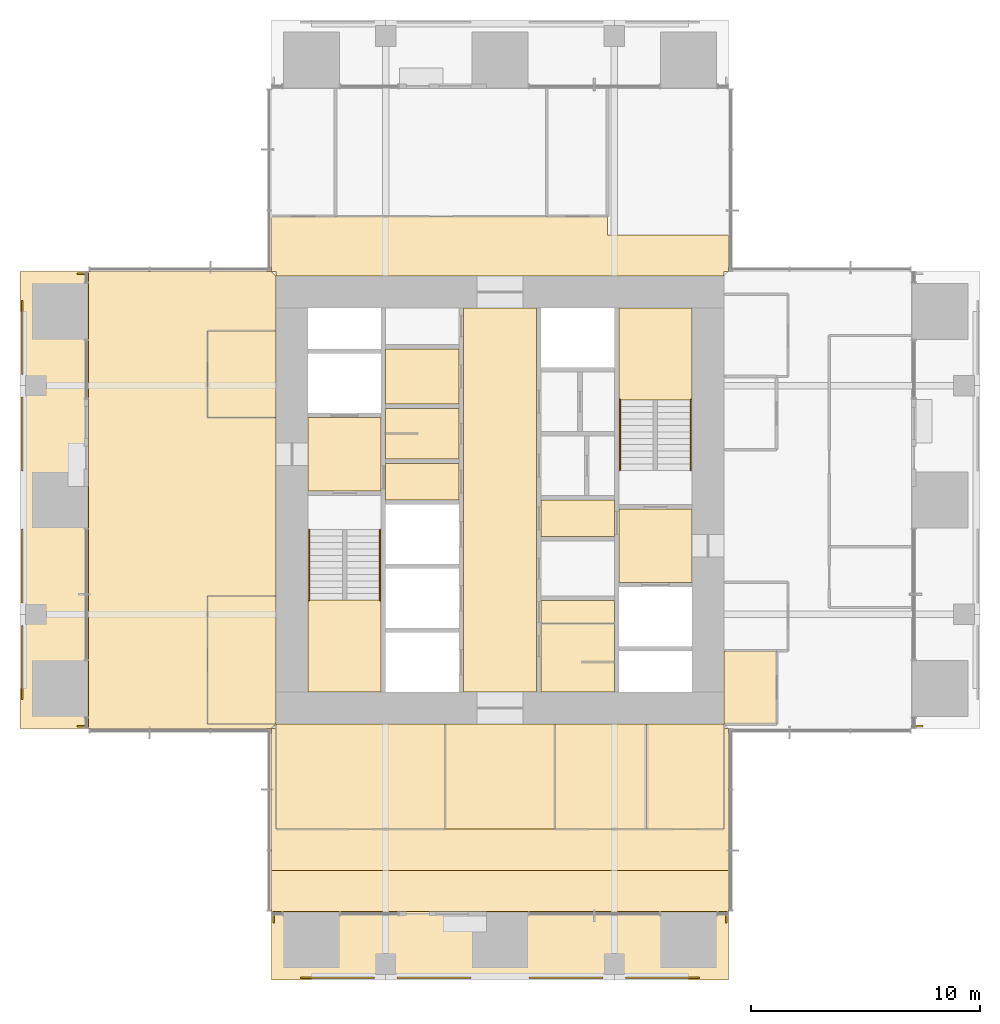
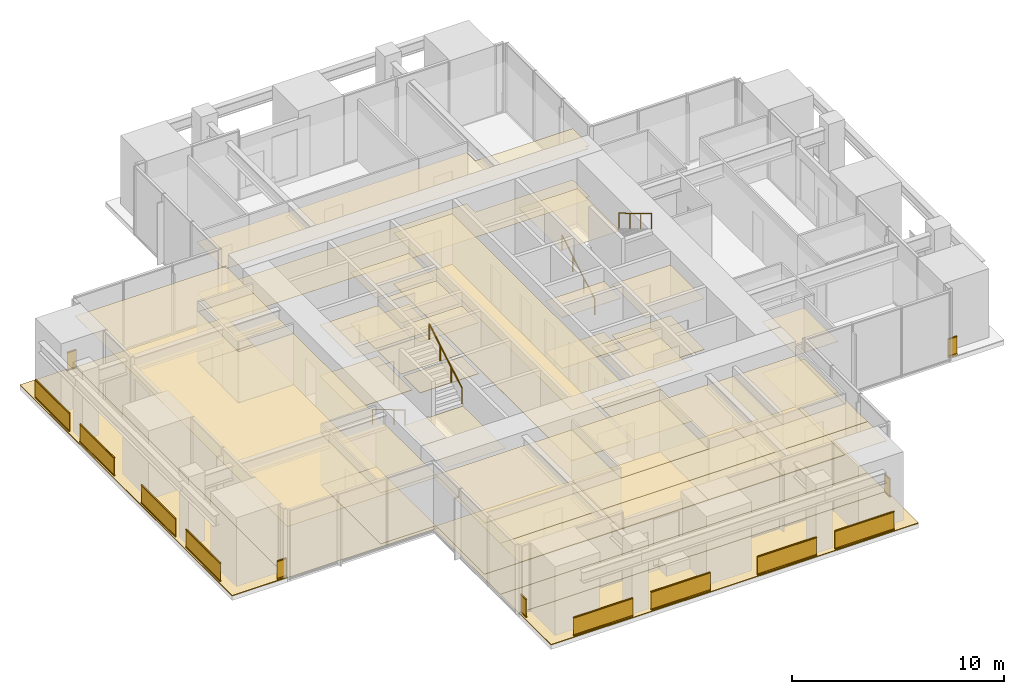
# One storey, part 15 of 17: 44 coverings, 17 railings.
"""IFC4 building model written with IfcOpenShell, lengths in metres."""

from ifc_helpers import new_model, si_unit, direction, frame, origin, origin_2d, place, context, subcontext, project, spatial, polyline, rectangle, circle, outline, extrude, material, layer, layer_set, type_object, element, save


model = new_model("IFC4")

# Units and contexts
model_context = context("Model", 3, precision=1e-05, world=origin(), true_north=direction((0.0, 1.0)))
body_context = subcontext(model_context, "Body", "Model", "MODEL_VIEW")
ifc_project = project(units=[si_unit("LENGTHUNIT", "METRE"), si_unit("AREAUNIT", "SQUARE_METRE"), si_unit("VOLUMEUNIT", "CUBIC_METRE"), si_unit("PLANEANGLEUNIT", "RADIAN"), si_unit("MASSUNIT", "GRAM", prefix="KILO")], contexts=[model_context])

# Site, building, storey
site_placement = place(None, origin())
site = spatial("IfcSite", under=ifc_project, at=site_placement, CompositionType="ELEMENT")
building_placement = place(site_placement, origin())
building = spatial("IfcBuilding", under=site, at=building_placement, Name="Svetlomir Tower", CompositionType="ELEMENT")
storey_placement = place(building_placement, frame((0.0, 0.0, 230.5)))
storey = spatial("IfcBuildingStorey", under=building, at=storey_placement, Name="L55", CompositionType="ELEMENT", Elevation=230.5)

# Railings
ifc_material_1 = material(Name="Bronze anodised aluminium and laminated glass", Category="aluminium")
railing_type_1 = type_object("IfcRailingType", Name="BALCONY GUARD GR1 1100", PredefinedType="GUARDRAIL", material=ifc_material_1)
for number, where, name in (
    (1, (12.27490234375, 0.10009765625, 0.0), "Loggia guard S L55 bay 1"),
    (2, (16.5, 0.10009765625, 0.0), "Loggia guard S L55 bay 2"),
    (3, (22.27490234375, 0.10009765625, 0.0), "Loggia guard S L55 bay 3"),
    (4, (26.5, 0.10009765625, 0.0), "Loggia guard S L55 bay 4"),
):
    element("IfcRailing", number, at=place(storey_placement, frame(where)), inside=storey, type_object=railing_type_1, Name=name, PredefinedType="GUARDRAIL", context=body_context, shape_type="SweptSolid", body=[
        extrude(rectangle(XDim=0.06005859375, YDim=0.10009765625, at=origin_2d()), frame((0.0, 0.0, 0.050048828125), z_axis=(1.0, 0.0, 0.0), x_axis=(0.0, 1.0, 0.0)), (0.0, 0.0, 1.0), 3.22509765625),
        extrude(rectangle(XDim=0.021484375, YDim=0.960205078125, at=origin_2d()), frame((0.0, 0.0, 0.580078125), z_axis=(1.0, 0.0, 0.0), x_axis=(0.0, 1.0, 0.0)), (0.0, 0.0, 1.0), 3.22509765625),
        extrude(rectangle(XDim=0.06005859375, YDim=0.0400390625, at=origin_2d()), frame((0.0, 0.0, 1.080078125), z_axis=(1.0, 0.0, 0.0), x_axis=(0.0, 1.0, 0.0)), (0.0, 0.0, 1.0), 3.22509765625),
    ])
for number, where, name in (
    (5, (11.10009765625, 2.5, 0.0), "Loggia guard S L55 end 1"),
    (6, (30.89990234375, 2.5, 0.0), "Loggia guard S L55 end 2"),
):
    element("IfcRailing", number, at=place(storey_placement, frame(where)), inside=storey, type_object=railing_type_1, Name=name, PredefinedType="GUARDRAIL", context=body_context, shape_type="SweptSolid", body=[
        extrude(rectangle(XDim=0.06005859375, YDim=0.10009765625, at=origin_2d()), frame((0.0, 0.0, 0.050048828125), z_axis=(0.0, 1.0, 0.0), x_axis=(-1.0, 0.0, 0.0)), (0.0, 0.0, 1.0), 0.5),
        extrude(rectangle(XDim=0.021484375, YDim=0.960205078125, at=origin_2d()), frame((0.0, 0.0, 0.580078125), z_axis=(0.0, 1.0, 0.0), x_axis=(-1.0, 0.0, 0.0)), (0.0, 0.0, 1.0), 0.5),
        extrude(rectangle(XDim=0.06005859375, YDim=0.0400390625, at=origin_2d()), frame((0.0, 0.0, 1.080078125), z_axis=(0.0, 1.0, 0.0), x_axis=(-1.0, 0.0, 0.0)), (0.0, 0.0, 1.0), 0.5),
    ])
railing_1_placement = place(storey_placement, frame((39.5, 11.10009765625, 0.0)))
element("IfcRailing", 7, at=railing_1_placement, inside=storey, type_object=railing_type_1, Name="Loggia guard E L55 end 1", PredefinedType="GUARDRAIL", context=body_context, shape_type="SweptSolid", body=[
    extrude(rectangle(XDim=0.06005859375, YDim=0.10009765625, at=origin_2d()), frame((0.0, 0.0, 0.050048828125), z_axis=(-1.0, 0.0, 0.0), x_axis=(0.0, -1.0, 0.0)), (0.0, 0.0, 1.0), 0.5),
    extrude(rectangle(XDim=0.021484375, YDim=0.960205078125, at=origin_2d()), frame((0.0, 0.0, 0.580078125), z_axis=(-1.0, 0.0, 0.0), x_axis=(0.0, -1.0, 0.0)), (0.0, 0.0, 1.0), 0.5),
    extrude(rectangle(XDim=0.06005859375, YDim=0.0400390625, at=origin_2d()), frame((0.0, 0.0, 1.080078125), z_axis=(-1.0, 0.0, 0.0), x_axis=(0.0, -1.0, 0.0)), (0.0, 0.0, 1.0), 0.5),
])
for number, where, name in (
    (8, (0.10009765625, 12.27490234375, 0.0), "Loggia guard W L55 bay 1"),
    (9, (0.10009765625, 16.5, 0.0), "Loggia guard W L55 bay 2"),
    (10, (0.10009765625, 22.27490234375, 0.0), "Loggia guard W L55 bay 3"),
    (11, (0.10009765625, 26.5, 0.0), "Loggia guard W L55 bay 4"),
):
    element("IfcRailing", number, at=place(storey_placement, frame(where)), inside=storey, type_object=railing_type_1, Name=name, PredefinedType="GUARDRAIL", context=body_context, shape_type="SweptSolid", body=[
        extrude(rectangle(XDim=0.06005859375, YDim=0.10009765625, at=origin_2d()), frame((0.0, 0.0, 0.050048828125), z_axis=(0.0, 1.0, 0.0), x_axis=(-1.0, 0.0, 0.0)), (0.0, 0.0, 1.0), 3.22509765625),
        extrude(rectangle(XDim=0.021484375, YDim=0.960205078125, at=origin_2d()), frame((0.0, 0.0, 0.580078125), z_axis=(0.0, 1.0, 0.0), x_axis=(-1.0, 0.0, 0.0)), (0.0, 0.0, 1.0), 3.22509765625),
        extrude(rectangle(XDim=0.06005859375, YDim=0.0400390625, at=origin_2d()), frame((0.0, 0.0, 1.080078125), z_axis=(0.0, 1.0, 0.0), x_axis=(-1.0, 0.0, 0.0)), (0.0, 0.0, 1.0), 3.22509765625),
    ])
for number, where, name in (
    (12, (2.5, 11.10009765625, 0.0), "Loggia guard W L55 end 1"),
    (13, (2.5, 30.89990234375, 0.0), "Loggia guard W L55 end 2"),
):
    element("IfcRailing", number, at=place(storey_placement, frame(where)), inside=storey, type_object=railing_type_1, Name=name, PredefinedType="GUARDRAIL", context=body_context, shape_type="SweptSolid", body=[
        extrude(rectangle(XDim=0.06005859375, YDim=0.10009765625, at=origin_2d()), frame((0.0, 0.0, 0.050048828125), z_axis=(1.0, 0.0, 0.0), x_axis=(0.0, 1.0, 0.0)), (0.0, 0.0, 1.0), 0.5),
        extrude(rectangle(XDim=0.021484375, YDim=0.960205078125, at=origin_2d()), frame((0.0, 0.0, 0.580078125), z_axis=(1.0, 0.0, 0.0), x_axis=(0.0, 1.0, 0.0)), (0.0, 0.0, 1.0), 0.5),
        extrude(rectangle(XDim=0.06005859375, YDim=0.0400390625, at=origin_2d()), frame((0.0, 0.0, 1.080078125), z_axis=(1.0, 0.0, 0.0), x_axis=(0.0, 1.0, 0.0)), (0.0, 0.0, 1.0), 0.5),
    ])

# Coverings
ifc_material_2 = material(Name="Granite paving slabs on pedestals", Category="masonry")
ifc_layer_1 = layer(ifc_material_2, 0.0400390625)
ifc_layer_set_1 = layer_set([ifc_layer_1], Name="Granite paving slabs on pedestals")
covering_type_1 = type_object("IfcCoveringType", Name="BALCONY PAVING 40", PredefinedType="USERDEFINED", material=ifc_layer_set_1)
covering_1_placement = place(storey_placement, origin())
element("IfcCovering", 14, at=covering_1_placement, inside=storey, type_object=covering_type_1, Name="Loggia paving S L55", ObjectType="BALCONY PAVING", PredefinedType="USERDEFINED", context=body_context, shape_type="SweptSolid", body=[
    extrude(outline(polyline([(11.0, 0.0), (31.0, 0.0), (31.0, 3.0), (11.0, 3.0), (11.0, 0.0)])), origin(), (0.0, 0.0, 1.0), 0.0400390625),
])
covering_2_placement = place(storey_placement, origin())
element("IfcCovering", 15, at=covering_2_placement, inside=storey, type_object=covering_type_1, Name="Loggia paving W L55", ObjectType="BALCONY PAVING", PredefinedType="USERDEFINED", context=body_context, shape_type="SweptSolid", body=[
    extrude(outline(polyline([(0.0, 11.0), (3.0, 11.0), (3.0, 31.0), (0.0, 31.0), (0.0, 11.0)])), origin(), (0.0, 0.0, 1.0), 0.0400390625),
])
ifc_material_3 = material(Name="Carpet tile", Category="textile")
ifc_layer_2 = layer(ifc_material_3, 0.010009765625)
ifc_layer_set_2 = layer_set([ifc_layer_2], Name="Carpet tile")
covering_type_2 = type_object("IfcCoveringType", Name="CARPET TILE FLOOR 10", PredefinedType="FLOORING", material=ifc_layer_set_2)
covering_3_placement = place(storey_placement, origin())
element("IfcCovering", 16, at=covering_3_placement, inside=storey, type_object=covering_type_2, Name="Floor finish L55-18", PredefinedType="FLOORING", context=body_context, shape_type="SweptSolid", body=[
    extrude(outline(polyline([(11.199951171875, 6.60009765625), (18.60009765625, 6.60009765625), (18.60009765625, 11.199951171875), (11.199951171875, 11.199951171875), (11.199951171875, 6.60009765625)])), origin(), (0.0, 0.0, 1.0), 0.010009765625),
])
covering_4_placement = place(storey_placement, origin())
element("IfcCovering", 17, at=covering_4_placement, inside=storey, type_object=covering_type_2, Name="Floor finish L55-19", PredefinedType="FLOORING", context=body_context, shape_type="SweptSolid", body=[
    extrude(outline(polyline([(23.39990234375, 6.60009765625), (27.39990234375, 6.60009765625), (27.39990234375, 11.199951171875), (23.39990234375, 11.199951171875), (23.39990234375, 6.60009765625)])), origin(), (0.0, 0.0, 1.0), 0.010009765625),
])
covering_5_placement = place(storey_placement, origin())
element("IfcCovering", 18, at=covering_5_placement, inside=storey, type_object=covering_type_2, Name="Floor finish L55-20", PredefinedType="FLOORING", context=body_context, shape_type="SweptSolid", body=[
    extrude(outline(polyline([(27.39990234375, 6.60009765625), (30.800048828125, 6.60009765625), (30.800048828125, 11.199951171875), (27.39990234375, 11.199951171875), (27.39990234375, 6.60009765625)])), origin(), (0.0, 0.0, 1.0), 0.010009765625),
])
covering_6_placement = place(storey_placement, origin())
element("IfcCovering", 19, at=covering_6_placement, inside=storey, type_object=covering_type_2, Name="Floor finish L55-21", PredefinedType="FLOORING", context=body_context, shape_type="SweptSolid", body=[
    extrude(outline(polyline([(30.800048828125, 11.199951171875), (33.10009765625, 11.199951171875), (33.10009765625, 14.39990234375), (30.800048828125, 14.39990234375), (30.800048828125, 11.199951171875)])), origin(), (0.0, 0.0, 1.0), 0.010009765625),
])
covering_7_placement = place(storey_placement, origin())
element("IfcCovering", 20, at=covering_7_placement, inside=storey, type_object=covering_type_2, Name="Floor finish L55-30", PredefinedType="FLOORING", context=body_context, shape_type="SweptSolid", body=[
    extrude(outline(polyline([(8.199951171875, 11.199951171875), (11.199951171875, 11.199951171875), (11.199951171875, 16.800048828125), (8.199951171875, 16.800048828125), (8.199951171875, 11.199951171875)])), origin(), (0.0, 0.0, 1.0), 0.010009765625),
])
covering_8_placement = place(storey_placement, origin())
element("IfcCovering", 21, at=covering_8_placement, inside=storey, type_object=covering_type_2, Name="Floor finish L55-31", PredefinedType="FLOORING", context=body_context, shape_type="SweptSolid", body=[
    extrude(outline(polyline([(8.199951171875, 24.60009765625), (11.199951171875, 24.60009765625), (11.199951171875, 28.39990234375), (8.199951171875, 28.39990234375), (8.199951171875, 24.60009765625)])), origin(), (0.0, 0.0, 1.0), 0.010009765625),
])
covering_9_placement = place(storey_placement, origin())
element("IfcCovering", 22, at=covering_9_placement, inside=storey, type_object=covering_type_2, Name="Floor finish L55-32", PredefinedType="FLOORING", context=body_context, shape_type="SweptSolid", body=[
    extrude(outline(polyline([(11.0, 11.0), (11.199951171875, 11.0), (11.199951171875, 6.60009765625), (30.800048828125, 6.60009765625), (30.800048828125, 11.0), (31.0, 11.0), (31.0, 4.800048828125), (11.0, 4.800048828125), (11.0, 11.0)])), origin(), (0.0, 0.0, 1.0), 0.010009765625),
])
covering_10_placement = place(storey_placement, origin())
element("IfcCovering", 23, at=covering_10_placement, inside=storey, type_object=covering_type_2, Name="Floor finish L55-33", PredefinedType="FLOORING", context=body_context, shape_type="SweptSolid", body=[
    extrude(outline(polyline([(11.199951171875, 30.800048828125), (11.199951171875, 31.0), (11.0, 31.0), (11.0, 33.39990234375), (25.699951171875, 33.39990234375), (25.699951171875, 32.60009765625), (31.0, 32.60009765625), (31.0, 31.0), (30.800048828125, 31.0), (30.800048828125, 30.800048828125), (11.199951171875, 30.800048828125)])), origin(), (0.0, 0.0, 1.0), 0.010009765625),
])
covering_11_placement = place(storey_placement, origin())
element("IfcCovering", 24, at=covering_11_placement, inside=storey, type_object=covering_type_2, Name="Floor finish L55-34", PredefinedType="FLOORING", context=body_context, shape_type="SweptSolid", body=[
    extrude(outline(polyline([(11.0, 3.0), (11.0, 4.800048828125), (31.0, 4.800048828125), (31.0, 3.0), (11.0, 3.0)])), origin(), (0.0, 0.0, 1.0), 0.010009765625),
])
covering_12_placement = place(storey_placement, origin())
element("IfcCovering", 25, at=covering_12_placement, inside=storey, type_object=covering_type_2, Name="Floor finish L55-35", PredefinedType="FLOORING", context=body_context, shape_type="SweptSolid", body=[
    extrude(outline(polyline([(23.39990234375, 11.199951171875), (23.39990234375, 6.60009765625), (18.60009765625, 6.60009765625), (18.60009765625, 11.199951171875), (23.39990234375, 11.199951171875)])), origin(), (0.0, 0.0, 1.0), 0.010009765625),
])
covering_13_placement = place(storey_placement, origin())
element("IfcCovering", 26, at=covering_13_placement, inside=storey, type_object=covering_type_2, Name="Floor finish L55-38", PredefinedType="FLOORING", context=body_context, shape_type="SweptSolid", body=[
    extrude(outline(polyline([(3.0, 31.0), (11.0, 31.0), (11.199951171875, 30.800048828125), (11.199951171875, 28.39990234375), (8.199951171875, 28.39990234375), (8.199951171875, 24.60009765625), (11.199951171875, 24.60009765625), (11.199951171875, 16.800048828125), (8.199951171875, 16.800048828125), (8.199951171875, 11.199951171875), (11.199951171875, 11.199951171875), (11.0, 11.0), (3.0, 11.0), (3.0, 31.0)])), origin(), (0.0, 0.0, 1.0), 0.010009765625),
])
ifc_material_4 = material(Name="Ceramic floor tile", Category="ceramic")
ifc_layer_3 = layer(ifc_material_4, 0.014892578125)
ifc_layer_set_3 = layer_set([ifc_layer_3], Name="Ceramic floor tile")
covering_type_3 = type_object("IfcCoveringType", Name="CERAMIC TILE FLOOR 15", PredefinedType="FLOORING", material=ifc_layer_set_3)
covering_14_placement = place(storey_placement, origin())
element("IfcCovering", 27, at=covering_14_placement, inside=storey, type_object=covering_type_3, Name="Floor finish L55-04", PredefinedType="FLOORING", context=body_context, shape_type="SweptSolid", body=[
    extrude(outline(polyline([(16.0, 22.800048828125), (19.199951171875, 22.800048828125), (19.199951171875, 25.0), (16.0, 25.0), (16.0, 22.800048828125)])), origin(), (0.0, 0.0, 1.0), 0.014892578125),
])
covering_15_placement = place(storey_placement, origin())
element("IfcCovering", 28, at=covering_15_placement, inside=storey, type_object=covering_type_3, Name="Floor finish L55-05", PredefinedType="FLOORING", context=body_context, shape_type="SweptSolid", body=[
    extrude(outline(polyline([(16.0, 25.199951171875), (19.199951171875, 25.199951171875), (19.199951171875, 27.60009765625), (16.0, 27.60009765625), (16.0, 25.199951171875)])), origin(), (0.0, 0.0, 1.0), 0.014892578125),
])
covering_16_placement = place(storey_placement, origin())
element("IfcCovering", 29, at=covering_16_placement, inside=storey, type_object=covering_type_3, Name="Floor finish L55-08", PredefinedType="FLOORING", context=body_context, shape_type="SweptSolid", body=[
    extrude(outline(polyline([(22.800048828125, 15.60009765625), (26.0, 15.60009765625), (26.0, 16.60009765625), (22.800048828125, 16.60009765625), (22.800048828125, 15.60009765625)])), origin(), (0.0, 0.0, 1.0), 0.014892578125),
])
covering_17_placement = place(storey_placement, origin())
element("IfcCovering", 30, at=covering_17_placement, inside=storey, type_object=covering_type_3, Name="Floor finish L55-09", PredefinedType="FLOORING", context=body_context, shape_type="SweptSolid", body=[
    extrude(outline(polyline([(22.800048828125, 12.60009765625), (26.0, 12.60009765625), (26.0, 15.60009765625), (22.800048828125, 15.60009765625), (22.800048828125, 12.60009765625)])), origin(), (0.0, 0.0, 1.0), 0.014892578125),
])

# Railings
ifc_material_5 = material(Name="Stainless steel", Category="steel")
railing_type_2 = type_object("IfcRailingType", Name="HANDRAIL HR1 900", PredefinedType="HANDRAIL", material=ifc_material_5)
railing_2_placement = place(storey_placement, frame((12.64990234375, 19.699951171875, 0.166748046875)))
element("IfcRailing", 31, at=railing_2_placement, inside=storey, type_object=railing_type_2, Name="Handrail S1 flight 1 L55", PredefinedType="HANDRAIL", context=body_context, shape_type="SweptSolid", body=[
    extrude(circle(Radius=0.02392578125, at=origin_2d()), frame((0.0, 0.0, 0.8759765625), z_axis=(0.0, -0.859290745958, 0.51148745235), x_axis=(1.0, 0.0, 0.0)), (0.0, 0.0, 1.0), 3.584228515625),
    extrude(circle(Radius=0.02099609375, at=origin_2d()), origin(), (0.0, 0.0, 1.0), 0.851806640625),
    extrude(circle(Radius=0.02099609375, at=origin_2d()), frame((0.0, -1.026611328125, 0.611083984375)), (0.0, 0.0, 1.0), 0.851806640625),
    extrude(circle(Radius=0.02099609375, at=origin_2d()), frame((0.0, -2.05322265625, 1.22216796875)), (0.0, 0.0, 1.0), 0.851806640625),
    extrude(circle(Radius=0.02099609375, at=origin_2d()), frame((0.0, -3.079833984375, 1.833251953125)), (0.0, 0.0, 1.0), 0.851806640625),
])
for number, where, name in (
    (32, (15.75, 16.6201171875, 2.166748046875), "Handrail S1 flight 2 L55"),
    (33, (26.25, 22.300048828125, 0.166748046875), "Handrail S2 flight 1 L55"),
):
    element("IfcRailing", number, at=place(storey_placement, frame(where)), inside=storey, type_object=railing_type_2, Name=name, PredefinedType="HANDRAIL", context=body_context, shape_type="SweptSolid", body=[
        extrude(circle(Radius=0.02392578125, at=origin_2d()), frame((0.0, 0.0, 0.8759765625), z_axis=(0.0, 0.859290745958, 0.51148745235), x_axis=(-1.0, 0.0, 0.0)), (0.0, 0.0, 1.0), 3.584228515625),
        extrude(circle(Radius=0.02099609375, at=origin_2d()), origin(), (0.0, 0.0, 1.0), 0.851806640625),
        extrude(circle(Radius=0.02099609375, at=origin_2d()), frame((0.0, 1.026611328125, 0.611083984375)), (0.0, 0.0, 1.0), 0.851806640625),
        extrude(circle(Radius=0.02099609375, at=origin_2d()), frame((0.0, 2.05322265625, 1.22216796875)), (0.0, 0.0, 1.0), 0.851806640625),
        extrude(circle(Radius=0.02099609375, at=origin_2d()), frame((0.0, 3.079833984375, 1.833251953125)), (0.0, 0.0, 1.0), 0.851806640625),
    ])
railing_3_placement = place(storey_placement, frame((29.35009765625, 25.3798828125, 2.166748046875)))
element("IfcRailing", 34, at=railing_3_placement, inside=storey, type_object=railing_type_2, Name="Handrail S2 flight 2 L55", PredefinedType="HANDRAIL", context=body_context, shape_type="SweptSolid", body=[
    extrude(circle(Radius=0.02392578125, at=origin_2d()), frame((0.0, 0.0, 0.8759765625), z_axis=(0.0, -0.859290745958, 0.51148745235), x_axis=(1.0, 0.0, 0.0)), (0.0, 0.0, 1.0), 3.584228515625),
    extrude(circle(Radius=0.02099609375, at=origin_2d()), origin(), (0.0, 0.0, 1.0), 0.851806640625),
    extrude(circle(Radius=0.02099609375, at=origin_2d()), frame((0.0, -1.026611328125, 0.611083984375)), (0.0, 0.0, 1.0), 0.851806640625),
    extrude(circle(Radius=0.02099609375, at=origin_2d()), frame((0.0, -2.05322265625, 1.22216796875)), (0.0, 0.0, 1.0), 0.851806640625),
    extrude(circle(Radius=0.02099609375, at=origin_2d()), frame((0.0, -3.079833984375, 1.833251953125)), (0.0, 0.0, 1.0), 0.851806640625),
])

# Coverings
ifc_material_6 = material(Name="Moisture resistant plasterboard ceiling", Category="gypsum")
ifc_layer_4 = layer(ifc_material_6, 0.012451171875)
ifc_layer_set_4 = layer_set([ifc_layer_4], Name="Moisture resistant plasterboard ceiling")
covering_type_4 = type_object("IfcCoveringType", Name="MOISTURE RESISTANT CEILING 12.5", PredefinedType="CEILING", material=ifc_layer_set_4)
covering_18_placement = place(storey_placement, frame((0.0, 0.0, 2.9375)))
element("IfcCovering", 35, at=covering_18_placement, inside=storey, type_object=covering_type_4, Name="Ceiling L55-04", PredefinedType="CEILING", context=body_context, shape_type="SweptSolid", body=[
    extrude(outline(polyline([(16.0, 22.800048828125), (19.199951171875, 22.800048828125), (19.199951171875, 25.0), (16.0, 25.0), (16.0, 22.800048828125)])), origin(), (0.0, 0.0, 1.0), 0.012451171875),
])
covering_19_placement = place(storey_placement, frame((0.0, 0.0, 2.9375)))
element("IfcCovering", 36, at=covering_19_placement, inside=storey, type_object=covering_type_4, Name="Ceiling L55-05", PredefinedType="CEILING", context=body_context, shape_type="SweptSolid", body=[
    extrude(outline(polyline([(16.0, 25.199951171875), (19.199951171875, 25.199951171875), (19.199951171875, 27.60009765625), (16.0, 27.60009765625), (16.0, 25.199951171875)])), origin(), (0.0, 0.0, 1.0), 0.012451171875),
])
covering_20_placement = place(storey_placement, frame((0.0, 0.0, 2.9375)))
element("IfcCovering", 37, at=covering_20_placement, inside=storey, type_object=covering_type_4, Name="Ceiling L55-08", PredefinedType="CEILING", context=body_context, shape_type="SweptSolid", body=[
    extrude(outline(polyline([(22.800048828125, 15.60009765625), (26.0, 15.60009765625), (26.0, 16.60009765625), (22.800048828125, 16.60009765625), (22.800048828125, 15.60009765625)])), origin(), (0.0, 0.0, 1.0), 0.012451171875),
])
covering_21_placement = place(storey_placement, frame((0.0, 0.0, 2.9375)))
element("IfcCovering", 38, at=covering_21_placement, inside=storey, type_object=covering_type_4, Name="Ceiling L55-09", PredefinedType="CEILING", context=body_context, shape_type="SweptSolid", body=[
    extrude(outline(polyline([(22.800048828125, 12.60009765625), (26.0, 12.60009765625), (26.0, 15.60009765625), (22.800048828125, 15.60009765625), (22.800048828125, 12.60009765625)])), origin(), (0.0, 0.0, 1.0), 0.012451171875),
])
ifc_material_7 = material(Name="Gypsum plasterboard ceiling", Category="gypsum")
ifc_layer_5 = layer(ifc_material_7, 0.014892578125)
ifc_layer_set_5 = layer_set([ifc_layer_5], Name="Gypsum plasterboard ceiling")
covering_type_5 = type_object("IfcCoveringType", Name="PLASTERBOARD CEILING 15", PredefinedType="CEILING", material=ifc_layer_set_5)
covering_22_placement = place(storey_placement, frame((0.0, 0.0, 2.93505859375)))
element("IfcCovering", 39, at=covering_22_placement, inside=storey, type_object=covering_type_5, Name="Ceiling L55-02", PredefinedType="CEILING", context=body_context, shape_type="SweptSolid", body=[
    extrude(outline(polyline([(12.60009765625, 21.39990234375), (15.800048828125, 21.39990234375), (15.800048828125, 24.60009765625), (12.60009765625, 24.60009765625), (12.60009765625, 21.39990234375)])), origin(), (0.0, 0.0, 1.0), 0.014892578125),
])
covering_23_placement = place(storey_placement, frame((0.0, 0.0, 2.93505859375)))
element("IfcCovering", 40, at=covering_23_placement, inside=storey, type_object=covering_type_5, Name="Ceiling L55-03", PredefinedType="CEILING", context=body_context, shape_type="SweptSolid", body=[
    extrude(outline(polyline([(16.0, 21.0), (19.199951171875, 21.0), (19.199951171875, 22.60009765625), (16.0, 22.60009765625), (16.0, 21.0)])), origin(), (0.0, 0.0, 1.0), 0.014892578125),
])
covering_24_placement = place(storey_placement, frame((0.0, 0.0, 2.93505859375)))
element("IfcCovering", 41, at=covering_24_placement, inside=storey, type_object=covering_type_5, Name="Ceiling L55-07", PredefinedType="CEILING", context=body_context, shape_type="SweptSolid", body=[
    extrude(outline(polyline([(19.39990234375, 12.60009765625), (22.60009765625, 12.60009765625), (22.60009765625, 29.39990234375), (19.39990234375, 29.39990234375), (19.39990234375, 12.60009765625)])), origin(), (0.0, 0.0, 1.0), 0.014892578125),
])
covering_25_placement = place(storey_placement, frame((0.0, 0.0, 2.93505859375)))
element("IfcCovering", 42, at=covering_25_placement, inside=storey, type_object=covering_type_5, Name="Ceiling L55-11", PredefinedType="CEILING", context=body_context, shape_type="SweptSolid", body=[
    extrude(outline(polyline([(22.800048828125, 19.39990234375), (26.0, 19.39990234375), (26.0, 21.0), (22.800048828125, 21.0), (22.800048828125, 19.39990234375)])), origin(), (0.0, 0.0, 1.0), 0.014892578125),
])
covering_26_placement = place(storey_placement, frame((0.0, 0.0, 2.93505859375)))
element("IfcCovering", 43, at=covering_26_placement, inside=storey, type_object=covering_type_5, Name="Ceiling L55-12", PredefinedType="CEILING", context=body_context, shape_type="SweptSolid", body=[
    extrude(outline(polyline([(26.199951171875, 17.39990234375), (29.39990234375, 17.39990234375), (29.39990234375, 20.60009765625), (26.199951171875, 20.60009765625), (26.199951171875, 17.39990234375)])), origin(), (0.0, 0.0, 1.0), 0.014892578125),
])
ifc_material_8 = material(Name="Studded rubber floor finish", Category="rubber")
ifc_layer_6 = layer(ifc_material_8, 0.006103515625)
ifc_layer_set_6 = layer_set([ifc_layer_6], Name="Studded rubber floor finish")
covering_type_6 = type_object("IfcCoveringType", Name="RUBBER LANDING FINISH 6", PredefinedType="FLOORING", material=ifc_layer_set_6)
covering_27_placement = place(storey_placement, frame((0.0, 0.0, 2.0)))
element("IfcCovering", 44, at=covering_27_placement, inside=storey, type_object=covering_type_6, Name="Stair S1 landing finish L55", PredefinedType="FLOORING", context=body_context, shape_type="SweptSolid", body=[
    extrude(outline(polyline([(12.60009765625, 12.60009765625), (15.800048828125, 12.60009765625), (15.800048828125, 16.6201171875), (12.60009765625, 16.6201171875), (12.60009765625, 12.60009765625)])), origin(), (0.0, 0.0, 1.0), 0.006103515625),
])
covering_28_placement = place(storey_placement, frame((0.0, 0.0, 2.0)))
element("IfcCovering", 45, at=covering_28_placement, inside=storey, type_object=covering_type_6, Name="Stair S2 landing finish L55", PredefinedType="FLOORING", context=body_context, shape_type="SweptSolid", body=[
    extrude(outline(polyline([(26.199951171875, 25.3798828125), (29.39990234375, 25.3798828125), (29.39990234375, 29.39990234375), (26.199951171875, 29.39990234375), (26.199951171875, 25.3798828125)])), origin(), (0.0, 0.0, 1.0), 0.006103515625),
])
ifc_material_9 = material(Name="Mineral fibre ceiling tile", Category="mineral")
ifc_layer_7 = layer(ifc_material_9, 0.02001953125)
ifc_layer_set_7 = layer_set([ifc_layer_7], Name="Mineral fibre ceiling tile")
covering_type_7 = type_object("IfcCoveringType", Name="SUSPENDED CEILING 20", PredefinedType="CEILING", material=ifc_layer_set_7)
covering_29_placement = place(storey_placement, frame((0.0, 0.0, 2.929931640625)))
element("IfcCovering", 46, at=covering_29_placement, inside=storey, type_object=covering_type_7, Name="Ceiling L55-18", PredefinedType="CEILING", context=body_context, shape_type="SweptSolid", body=[
    extrude(outline(polyline([(11.199951171875, 6.60009765625), (18.60009765625, 6.60009765625), (18.60009765625, 11.199951171875), (11.199951171875, 11.199951171875), (11.199951171875, 6.60009765625)])), origin(), (0.0, 0.0, 1.0), 0.02001953125),
])
covering_30_placement = place(storey_placement, frame((0.0, 0.0, 2.929931640625)))
element("IfcCovering", 47, at=covering_30_placement, inside=storey, type_object=covering_type_7, Name="Ceiling L55-19", PredefinedType="CEILING", context=body_context, shape_type="SweptSolid", body=[
    extrude(outline(polyline([(23.39990234375, 6.60009765625), (27.39990234375, 6.60009765625), (27.39990234375, 11.199951171875), (23.39990234375, 11.199951171875), (23.39990234375, 6.60009765625)])), origin(), (0.0, 0.0, 1.0), 0.02001953125),
])
covering_31_placement = place(storey_placement, frame((0.0, 0.0, 2.929931640625)))
element("IfcCovering", 48, at=covering_31_placement, inside=storey, type_object=covering_type_7, Name="Ceiling L55-20", PredefinedType="CEILING", context=body_context, shape_type="SweptSolid", body=[
    extrude(outline(polyline([(27.39990234375, 6.60009765625), (30.800048828125, 6.60009765625), (30.800048828125, 11.199951171875), (27.39990234375, 11.199951171875), (27.39990234375, 6.60009765625)])), origin(), (0.0, 0.0, 1.0), 0.02001953125),
])
covering_32_placement = place(storey_placement, frame((0.0, 0.0, 2.929931640625)))
element("IfcCovering", 49, at=covering_32_placement, inside=storey, type_object=covering_type_7, Name="Ceiling L55-21", PredefinedType="CEILING", context=body_context, shape_type="SweptSolid", body=[
    extrude(outline(polyline([(30.800048828125, 11.199951171875), (33.10009765625, 11.199951171875), (33.10009765625, 14.39990234375), (30.800048828125, 14.39990234375), (30.800048828125, 11.199951171875)])), origin(), (0.0, 0.0, 1.0), 0.02001953125),
])
covering_33_placement = place(storey_placement, frame((0.0, 0.0, 2.929931640625)))
element("IfcCovering", 50, at=covering_33_placement, inside=storey, type_object=covering_type_7, Name="Ceiling L55-30", PredefinedType="CEILING", context=body_context, shape_type="SweptSolid", body=[
    extrude(outline(polyline([(8.199951171875, 11.199951171875), (11.199951171875, 11.199951171875), (11.199951171875, 16.800048828125), (8.199951171875, 16.800048828125), (8.199951171875, 11.199951171875)])), origin(), (0.0, 0.0, 1.0), 0.02001953125),
])
covering_34_placement = place(storey_placement, frame((0.0, 0.0, 2.929931640625)))
element("IfcCovering", 51, at=covering_34_placement, inside=storey, type_object=covering_type_7, Name="Ceiling L55-31", PredefinedType="CEILING", context=body_context, shape_type="SweptSolid", body=[
    extrude(outline(polyline([(8.199951171875, 24.60009765625), (11.199951171875, 24.60009765625), (11.199951171875, 28.39990234375), (8.199951171875, 28.39990234375), (8.199951171875, 24.60009765625)])), origin(), (0.0, 0.0, 1.0), 0.02001953125),
])
covering_35_placement = place(storey_placement, frame((0.0, 0.0, 2.929931640625)))
element("IfcCovering", 52, at=covering_35_placement, inside=storey, type_object=covering_type_7, Name="Ceiling L55-32", PredefinedType="CEILING", context=body_context, shape_type="SweptSolid", body=[
    extrude(outline(polyline([(11.0, 11.0), (11.199951171875, 11.0), (11.199951171875, 6.60009765625), (30.800048828125, 6.60009765625), (30.800048828125, 11.0), (31.0, 11.0), (31.0, 4.800048828125), (11.0, 4.800048828125), (11.0, 11.0)])), origin(), (0.0, 0.0, 1.0), 0.02001953125),
])
covering_36_placement = place(storey_placement, frame((0.0, 0.0, 2.929931640625)))
element("IfcCovering", 53, at=covering_36_placement, inside=storey, type_object=covering_type_7, Name="Ceiling L55-33", PredefinedType="CEILING", context=body_context, shape_type="SweptSolid", body=[
    extrude(outline(polyline([(11.199951171875, 30.800048828125), (11.199951171875, 31.0), (11.0, 31.0), (11.0, 33.39990234375), (25.699951171875, 33.39990234375), (25.699951171875, 32.60009765625), (31.0, 32.60009765625), (31.0, 31.0), (30.800048828125, 31.0), (30.800048828125, 30.800048828125), (11.199951171875, 30.800048828125)])), origin(), (0.0, 0.0, 1.0), 0.02001953125),
])
covering_37_placement = place(storey_placement, frame((0.0, 0.0, 2.929931640625)))
element("IfcCovering", 54, at=covering_37_placement, inside=storey, type_object=covering_type_7, Name="Ceiling L55-34", PredefinedType="CEILING", context=body_context, shape_type="SweptSolid", body=[
    extrude(outline(polyline([(11.0, 3.0), (11.0, 4.800048828125), (31.0, 4.800048828125), (31.0, 3.0), (11.0, 3.0)])), origin(), (0.0, 0.0, 1.0), 0.02001953125),
])
covering_38_placement = place(storey_placement, frame((0.0, 0.0, 2.929931640625)))
element("IfcCovering", 55, at=covering_38_placement, inside=storey, type_object=covering_type_7, Name="Ceiling L55-35", PredefinedType="CEILING", context=body_context, shape_type="SweptSolid", body=[
    extrude(outline(polyline([(23.39990234375, 11.199951171875), (23.39990234375, 6.60009765625), (18.60009765625, 6.60009765625), (18.60009765625, 11.199951171875), (23.39990234375, 11.199951171875)])), origin(), (0.0, 0.0, 1.0), 0.02001953125),
])
covering_39_placement = place(storey_placement, frame((0.0, 0.0, 2.929931640625)))
element("IfcCovering", 56, at=covering_39_placement, inside=storey, type_object=covering_type_7, Name="Ceiling L55-38", PredefinedType="CEILING", context=body_context, shape_type="SweptSolid", body=[
    extrude(outline(polyline([(3.0, 31.0), (11.0, 31.0), (11.199951171875, 30.800048828125), (11.199951171875, 28.39990234375), (8.199951171875, 28.39990234375), (8.199951171875, 24.60009765625), (11.199951171875, 24.60009765625), (11.199951171875, 16.800048828125), (8.199951171875, 16.800048828125), (8.199951171875, 11.199951171875), (11.199951171875, 11.199951171875), (11.0, 11.0), (3.0, 11.0), (3.0, 31.0)])), origin(), (0.0, 0.0, 1.0), 0.02001953125),
])
ifc_material_10 = material(Name="Bronze-aggregate terrazzo", Category="stone")
ifc_layer_8 = layer(ifc_material_10, 0.030029296875)
ifc_layer_set_8 = layer_set([ifc_layer_8], Name="Bronze-aggregate terrazzo")
covering_type_8 = type_object("IfcCoveringType", Name="TERRAZZO FLOOR 30", PredefinedType="FLOORING", material=ifc_layer_set_8)
covering_40_placement = place(storey_placement, origin())
element("IfcCovering", 57, at=covering_40_placement, inside=storey, type_object=covering_type_8, Name="Floor finish L55-02", PredefinedType="FLOORING", context=body_context, shape_type="SweptSolid", body=[
    extrude(outline(polyline([(12.60009765625, 21.39990234375), (15.800048828125, 21.39990234375), (15.800048828125, 24.60009765625), (12.60009765625, 24.60009765625), (12.60009765625, 21.39990234375)])), origin(), (0.0, 0.0, 1.0), 0.030029296875),
])
covering_41_placement = place(storey_placement, origin())
element("IfcCovering", 58, at=covering_41_placement, inside=storey, type_object=covering_type_8, Name="Floor finish L55-03", PredefinedType="FLOORING", context=body_context, shape_type="SweptSolid", body=[
    extrude(outline(polyline([(16.0, 21.0), (19.199951171875, 21.0), (19.199951171875, 22.60009765625), (16.0, 22.60009765625), (16.0, 21.0)])), origin(), (0.0, 0.0, 1.0), 0.030029296875),
])
covering_42_placement = place(storey_placement, origin())
element("IfcCovering", 59, at=covering_42_placement, inside=storey, type_object=covering_type_8, Name="Floor finish L55-07", PredefinedType="FLOORING", context=body_context, shape_type="SweptSolid", body=[
    extrude(outline(polyline([(19.39990234375, 12.60009765625), (22.60009765625, 12.60009765625), (22.60009765625, 29.39990234375), (19.39990234375, 29.39990234375), (19.39990234375, 12.60009765625)])), origin(), (0.0, 0.0, 1.0), 0.030029296875),
])
covering_43_placement = place(storey_placement, origin())
element("IfcCovering", 60, at=covering_43_placement, inside=storey, type_object=covering_type_8, Name="Floor finish L55-11", PredefinedType="FLOORING", context=body_context, shape_type="SweptSolid", body=[
    extrude(outline(polyline([(22.800048828125, 19.39990234375), (26.0, 19.39990234375), (26.0, 21.0), (22.800048828125, 21.0), (22.800048828125, 19.39990234375)])), origin(), (0.0, 0.0, 1.0), 0.030029296875),
])
covering_44_placement = place(storey_placement, origin())
element("IfcCovering", 61, at=covering_44_placement, inside=storey, type_object=covering_type_8, Name="Floor finish L55-12", PredefinedType="FLOORING", context=body_context, shape_type="SweptSolid", body=[
    extrude(outline(polyline([(26.199951171875, 17.39990234375), (29.39990234375, 17.39990234375), (29.39990234375, 20.60009765625), (26.199951171875, 20.60009765625), (26.199951171875, 17.39990234375)])), origin(), (0.0, 0.0, 1.0), 0.030029296875),
])

save(model, "model.ifc")
